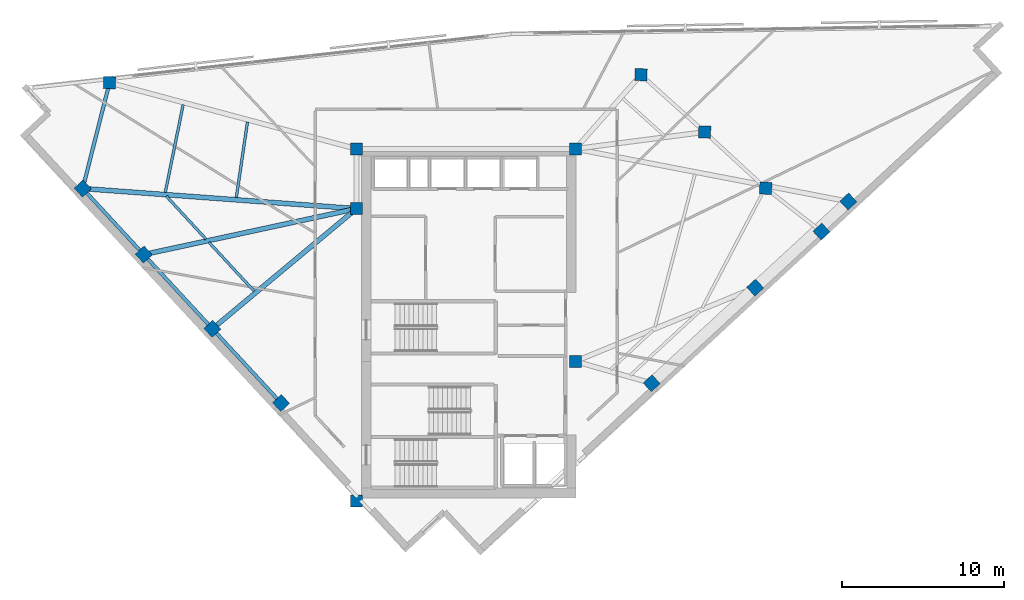
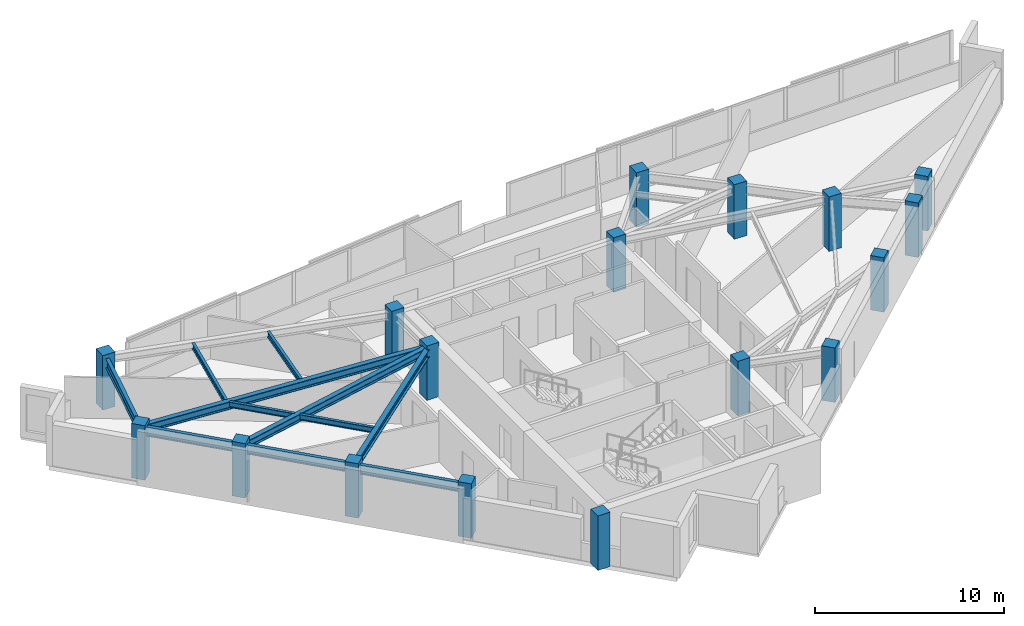
# One storey, part 1 of 11: 17 columns, 11 beams.
"""IFC4 building model written with IfcOpenShell, lengths in metres."""

from ifc_helpers import new_model, si_unit, direction, frame, origin, origin_2d, place, context, subcontext, project, spatial, rectangle, i_section, extrude, material, material_profile, profile_set, type_object, element, save


model = new_model("IFC4")

# Units and contexts
model_context = context("Model", 3, precision=1e-05, world=origin(), true_north=direction((0.0, 1.0)))
body_context = subcontext(model_context, "Body", "Model", "MODEL_VIEW")
ifc_project = project(units=[si_unit("LENGTHUNIT", "METRE"), si_unit("AREAUNIT", "SQUARE_METRE"), si_unit("VOLUMEUNIT", "CUBIC_METRE"), si_unit("PLANEANGLEUNIT", "RADIAN"), si_unit("MASSUNIT", "GRAM", prefix="KILO")], contexts=[model_context])

# Site, building, storey
site_placement = place(None, origin())
site = spatial("IfcSite", under=ifc_project, at=site_placement, CompositionType="ELEMENT")
building_placement = place(site_placement, origin())
building = spatial("IfcBuilding", under=site, at=building_placement, Name="Narakoshi Arena Tower", CompositionType="ELEMENT")
storey_placement = place(building_placement, frame((0.0, 0.0, 285.3798828125)))
storey = spatial("IfcBuildingStorey", under=building, at=storey_placement, Name="L78", CompositionType="ELEMENT", Elevation=285.3798828125)

# Columns
ifc_material_1 = material(Name="Concrete C50/60", Category="concrete")
ifc_material_profile_1 = material_profile(ifc_material_1, rectangle(XDim=0.75, YDim=0.75, at=origin_2d()), Name="RC750x750")
ifc_profile_set_1 = profile_set([ifc_material_profile_1], Name="Concrete C50/60")
column_type = type_object("IfcColumnType", Name="COL-RC750", PredefinedType="COLUMN", material=ifc_profile_set_1)
for number, where, z_axis, x_axis, name in (
    (1, (72.0, 34.699951171875, 0.0), (0.0, 0.0, 1.0), (1.0, 0.0, 0.0), "L78 Core Structural Column CC1"),
    (2, (85.550048828125, 43.35009765625, 0.0), (0.0, 0.0, 1.0), (1.0, 0.0, 0.0), "L78 Core Structural Column CC3"),
    (3, (72.0, 52.800048828125, 0.0), (0.0, 0.0, 1.0), (1.0, 0.0, 0.0), "L78 Core Structural Column CC4"),
    (4, (72.0, 56.5, 0.0), (0.0, 0.0, 1.0), (1.0, 0.0, 0.0), "L78 Core Structural Column CC5"),
    (5, (85.550048828125, 56.5, 0.0), (0.0, 0.0, 1.0), (1.0, 0.0, 0.0), "L78 Core Structural Column CC6"),
    (6, (90.2734375, 41.992919921875, 0.0), (0.0, 0.0, 1.0), (0.734322509436, 0.678800745533, 0.0), "L78 Tower Perimeter Column TC01"),
    (7, (96.6787109375, 47.913818359375, 0.0), (0.0, 0.0, 1.0), (0.734322509436, 0.678800745533, 0.0), "L78 Tower Perimeter Column TC02"),
    (8, (102.443359375, 53.242431640625, 0.0), (0.0, 0.0, 1.0), (0.734322509436, 0.678800745533, 0.0), "L78 Tower Perimeter Column TC03"),
    (9, (100.78173828125, 51.379638671875, 0.0), (0.0, 0.0, 1.0), (0.734322509436, 0.678800745533, 0.0), "L78 Tower Perimeter Column TC04"),
    (10, (97.3291015625, 54.0654296875, 0.0), (0.0, 0.0, 1.0), (0.039259815759, 0.999229036241, 0.0), "L78 Tower Perimeter Column TC05"),
    (11, (93.55029296875, 57.543701171875, 0.0), (0.0, 0.0, 1.0), (0.039259815759, 0.999229036241, 0.0), "L78 Tower Perimeter Column TC06"),
    (12, (89.611328125, 61.09033203125, 0.0), (0.0, 0.0, 1.0), (0.039259815759, 0.999229036241, 0.0), "L78 Tower Perimeter Column TC07"),
    (13, (56.717041015625, 60.59814453125, 0.0), (0.0, 0.0, 1.0), (0.039259815759, 0.999229036241, 0.0), "L78 Tower Perimeter Column TC10"),
    (14, (55.05810546875, 54.04638671875, 0.0), (0.0, 0.0, 1.0), (-0.678800745533, 0.734322509436, 0.0), "L78 Tower Perimeter Column TC13"),
    (15, (58.8349609375, 49.960693359375, 0.0), (0.0, 0.0, 1.0), (-0.678800745533, 0.734322509436, 0.0), "L78 Tower Perimeter Column TC14"),
    (16, (63.083984375, 45.3642578125, 0.0), (0.0, 0.0, 1.0), (-0.678800745533, 0.734322509436, 0.0), "L78 Tower Perimeter Column TC15"),
    (17, (67.332763671875, 40.767578125, 0.0), (0.0, 0.0, 1.0), (-0.678800745533, 0.734322509436, 0.0), "L78 Tower Perimeter Column TC16"),
):
    element("IfcColumn", number, at=place(storey_placement, frame(where, z_axis=z_axis, x_axis=x_axis)), inside=storey, type_object=column_type, Name=name, PredefinedType="COLUMN", context=body_context, shape_type="SweptSolid", body=[
        extrude(rectangle(XDim=0.75, YDim=0.75, at=origin_2d()), origin(), (0.0, 0.0, 1.0), 3.52001953125),
    ])

# Beams
ifc_material_2 = material(Name="Structural steel S355J2", Category="steel")
ifc_material_profile_2 = material_profile(ifc_material_2, i_section(OverallWidth=0.219970703125, OverallDepth=0.60009765625, WebThickness=0.011962890625, FlangeThickness=0.01904296875, FilletRadius=0.02392578125, at=origin_2d()), Name="IPE600")
ifc_profile_set_2 = profile_set([ifc_material_profile_2], Name="Structural steel S355J2")
beam_type_1 = type_object("IfcBeamType", Name="BM-EDGE-600", PredefinedType="BEAM", material=ifc_profile_set_2)
beam_1_placement = place(storey_placement, frame((56.717041015625, 60.59814453125, 2.960205078125), z_axis=(-0.245458392699, -0.969407126781, 0.0), x_axis=(0.969407126781, -0.245458392699, 0.0)))
element("IfcBeam", 18, at=beam_1_placement, inside=storey, type_object=beam_type_1, Name="L78 Perimeter Edge Girder 08", PredefinedType="BEAM", context=body_context, shape_type="SweptSolid", body=[
    extrude(i_section(OverallWidth=0.219970703125, OverallDepth=0.60009765625, WebThickness=0.011962890625, FlangeThickness=0.01904296875, FilletRadius=0.02392578125, at=origin_2d()), origin(), (0.0, 0.0, 1.0), 6.758544921875),
])
beam_2_placement = place(storey_placement, frame((55.05810546875, 54.04638671875, 2.960205078125), z_axis=(0.678808438166, -0.734315398365, 0.0), x_axis=(0.734315398365, 0.678808438166, 0.0)))
element("IfcBeam", 19, at=beam_2_placement, inside=storey, type_object=beam_type_1, Name="L78 Perimeter Edge Girder 09", PredefinedType="BEAM", context=body_context, shape_type="SweptSolid", body=[
    extrude(i_section(OverallWidth=0.219970703125, OverallDepth=0.60009765625, WebThickness=0.011962890625, FlangeThickness=0.01904296875, FilletRadius=0.02392578125, at=origin_2d()), origin(), (0.0, 0.0, 1.0), 5.56396484375),
])
for number, where, z_axis, x_axis, name in (
    (20, (58.8349609375, 49.960693359375, 2.960205078125), (0.678811265787, -0.734312784473, 0.0), (0.734312784473, 0.678811265787, 0.0), "L78 Perimeter Edge Girder 10"),
    (21, (63.083984375, 45.3642578125, 2.960205078125), (0.678770792221, -0.734350196859, 0.0), (0.734350196859, 0.678770792221, 0.0), "L78 Perimeter Edge Girder 11"),
):
    element("IfcBeam", number, at=place(storey_placement, frame(where, z_axis=z_axis, x_axis=x_axis)), inside=storey, type_object=beam_type_1, Name=name, PredefinedType="BEAM", context=body_context, shape_type="SweptSolid", body=[
        extrude(i_section(OverallWidth=0.219970703125, OverallDepth=0.60009765625, WebThickness=0.011962890625, FlangeThickness=0.01904296875, FilletRadius=0.02392578125, at=origin_2d()), origin(), (0.0, 0.0, 1.0), 6.259521484375),
    ])
ifc_material_profile_3 = material_profile(ifc_material_2, i_section(OverallWidth=0.300048828125, OverallDepth=0.5, WebThickness=0.014404296875, FlangeThickness=0.028076171875, FilletRadius=0.027099609375, at=origin_2d()), Name="HE500B")
ifc_profile_set_3 = profile_set([ifc_material_profile_3], Name="Structural steel S355J2")
beam_type_2 = type_object("IfcBeamType", Name="BM-PRI-500", PredefinedType="BEAM", material=ifc_profile_set_3)
beam_3_placement = place(storey_placement, frame((72.0, 52.800048828125, 3.010009765625), z_axis=(-0.997304997013, 0.073367178859, 0.0), x_axis=(-0.073367178859, -0.997304997013, 0.0)))
element("IfcBeam", 22, at=beam_3_placement, inside=storey, type_object=beam_type_2, Name="L78 Radial Primary Floor Girder 09", PredefinedType="BEAM", context=body_context, shape_type="SweptSolid", body=[
    extrude(i_section(OverallWidth=0.300048828125, OverallDepth=0.5, WebThickness=0.014404296875, FlangeThickness=0.028076171875, FilletRadius=0.027099609375, at=origin_2d()), origin(), (0.0, 0.0, 1.0), 16.98779296875),
])
beam_4_placement = place(storey_placement, frame((72.0, 52.800048828125, 3.010009765625), z_axis=(-0.977523534755, -0.210826324256, 0.0), x_axis=(0.210826324256, -0.977523534755, 0.0)))
element("IfcBeam", 23, at=beam_4_placement, inside=storey, type_object=beam_type_2, Name="L78 Radial Primary Floor Girder 10", PredefinedType="BEAM", context=body_context, shape_type="SweptSolid", body=[
    extrude(i_section(OverallWidth=0.300048828125, OverallDepth=0.5, WebThickness=0.014404296875, FlangeThickness=0.028076171875, FilletRadius=0.027099609375, at=origin_2d()), origin(), (0.0, 0.0, 1.0), 13.4677734375),
])
beam_5_placement = place(storey_placement, frame((72.0, 52.800048828125, 3.010009765625), z_axis=(-0.767976460513, -0.640478068397, 0.0), x_axis=(0.640478068397, -0.767976460513, 0.0)))
element("IfcBeam", 24, at=beam_5_placement, inside=storey, type_object=beam_type_2, Name="L78 Radial Primary Floor Girder 11", PredefinedType="BEAM", context=body_context, shape_type="SweptSolid", body=[
    extrude(i_section(OverallWidth=0.300048828125, OverallDepth=0.5, WebThickness=0.014404296875, FlangeThickness=0.028076171875, FilletRadius=0.027099609375, at=origin_2d()), origin(), (0.0, 0.0, 1.0), 11.60986328125),
])
ifc_material_profile_4 = material_profile(ifc_material_2, i_section(OverallWidth=0.169921875, OverallDepth=0.360107421875, WebThickness=0.008056640625, FlangeThickness=0.0126953125, FilletRadius=0.01806640625, at=origin_2d()), Name="IPE360")
ifc_profile_set_4 = profile_set([ifc_material_profile_4], Name="Structural steel S355J2")
beam_type_3 = type_object("IfcBeamType", Name="BM-SEC-360", PredefinedType="JOIST", material=ifc_profile_set_4)
beam_6_placement = place(storey_placement, frame((65.255859375, 58.169677734375, 3.080078125), z_axis=(-0.145762470348, -0.989319615816, 0.0), x_axis=(0.989319615816, -0.145762470348, 0.0)))
element("IfcBeam", 25, at=beam_6_placement, inside=storey, type_object=beam_type_3, Name="L78 Composite Secondary Floor Joist 06", PredefinedType="JOIST", context=body_context, shape_type="SweptSolid", body=[
    extrude(i_section(OverallWidth=0.169921875, OverallDepth=0.360107421875, WebThickness=0.008056640625, FlangeThickness=0.0126953125, FilletRadius=0.01806640625, at=origin_2d()), origin(), (0.0, 0.0, 1.0), 4.73828125),
])
beam_7_placement = place(storey_placement, frame((61.27490234375, 59.236328125, 3.080078125), z_axis=(-0.199731342868, -0.979850698156, 0.0), x_axis=(0.979850698156, -0.199731342868, 0.0)))
element("IfcBeam", 26, at=beam_7_placement, inside=storey, type_object=beam_type_3, Name="L78 Composite Secondary Floor Joist 07", PredefinedType="JOIST", context=body_context, shape_type="SweptSolid", body=[
    extrude(i_section(OverallWidth=0.169921875, OverallDepth=0.360107421875, WebThickness=0.008056640625, FlangeThickness=0.0126953125, FilletRadius=0.01806640625, at=origin_2d()), origin(), (0.0, 0.0, 1.0), 5.543212890625),
])
beam_8_placement = place(storey_placement, frame((60.232421875, 53.5732421875, 3.080078125), z_axis=(0.678811454839, -0.73431260971, 0.0), x_axis=(0.73431260971, 0.678811454839, 0.0)))
element("IfcBeam", 27, at=beam_8_placement, inside=storey, type_object=beam_type_3, Name="L78 Composite Secondary Floor Joist 08", PredefinedType="JOIST", context=body_context, shape_type="SweptSolid", body=[
    extrude(i_section(OverallWidth=0.169921875, OverallDepth=0.360107421875, WebThickness=0.008056640625, FlangeThickness=0.0126953125, FilletRadius=0.01806640625, at=origin_2d()), origin(), (0.0, 0.0, 1.0), 3.624755859375),
])
beam_9_placement = place(storey_placement, frame((62.876220703125, 50.71337890625, 3.080078125), z_axis=(0.678770736096, -0.734350248736, 0.0), x_axis=(0.734350248736, 0.678770736096, 0.0)))
element("IfcBeam", 28, at=beam_9_placement, inside=storey, type_object=beam_type_3, Name="L78 Composite Secondary Floor Joist 09", PredefinedType="JOIST", context=body_context, shape_type="SweptSolid", body=[
    extrude(i_section(OverallWidth=0.169921875, OverallDepth=0.360107421875, WebThickness=0.008056640625, FlangeThickness=0.0126953125, FilletRadius=0.01806640625, at=origin_2d()), origin(), (0.0, 0.0, 1.0), 4.111572265625),
])

save(model, "model.ifc")
